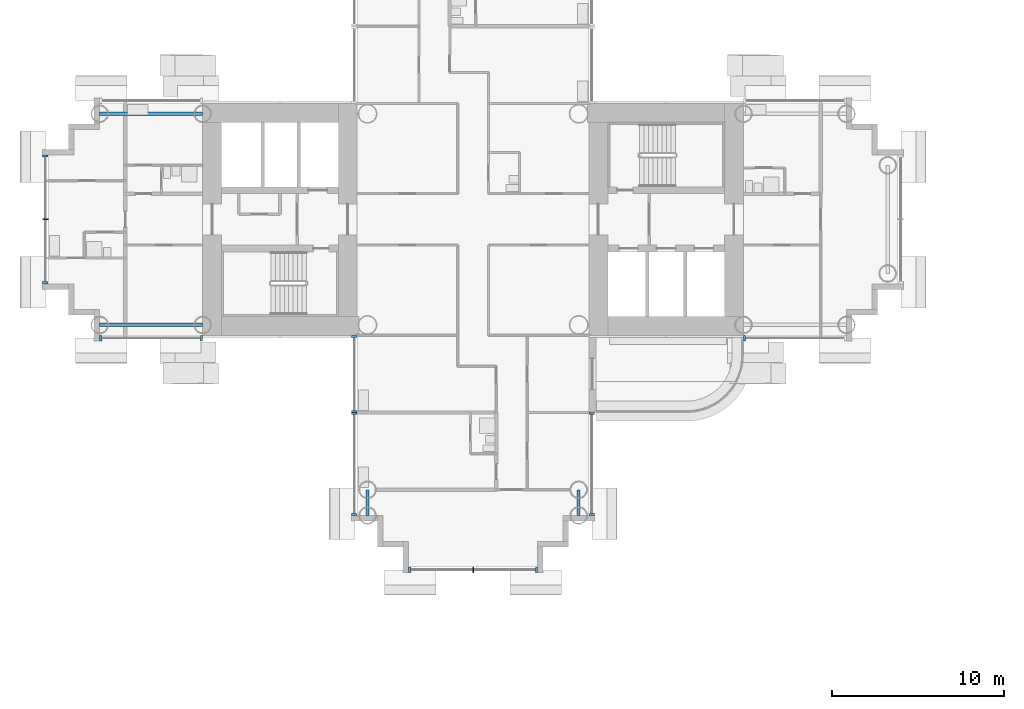
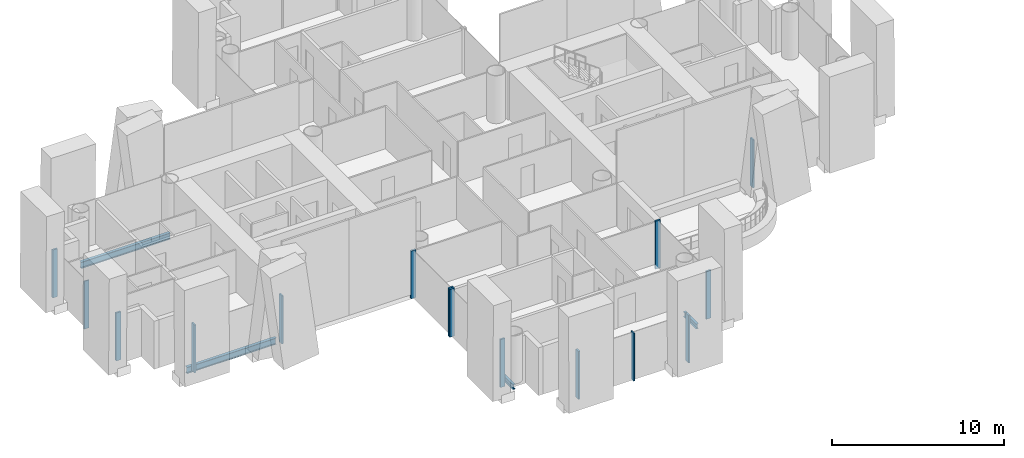
# One storey, part 3 of 23: 15 members, 4 beams, 7 elements without a shape of their own.
"""IFC4 building model written with IfcOpenShell, lengths in metres."""

from ifc_helpers import new_model, si_unit, direction, frame, origin, origin_2d, place, context, subcontext, project, spatial, rectangle, i_section, extrude, material, layer, layer_set, material_profile, profile_set, type_object, element, aggregate, save


model = new_model("IFC4")

# Units and contexts
model_context = context("Model", 3, precision=1e-05, world=origin(), true_north=direction((0.0, 1.0)))
body_context = subcontext(model_context, "Body", "Model", "MODEL_VIEW")
ifc_project = project(units=[si_unit("LENGTHUNIT", "METRE"), si_unit("AREAUNIT", "SQUARE_METRE"), si_unit("VOLUMEUNIT", "CUBIC_METRE"), si_unit("PLANEANGLEUNIT", "RADIAN"), si_unit("MASSUNIT", "GRAM", prefix="KILO")], contexts=[model_context])

# Site, building, storey
site_placement = place(None, origin())
site = spatial("IfcSite", under=ifc_project, at=site_placement, CompositionType="ELEMENT")
building_placement = place(site_placement, origin())
building = spatial("IfcBuilding", under=site, at=building_placement, Name="Ipe Terrace Towers", CompositionType="ELEMENT")
storey_placement = place(building_placement, frame((0.0, 0.0, 44.89990234375)))
storey = spatial("IfcBuildingStorey", under=building, at=storey_placement, Name="L11", CompositionType="ELEMENT", Elevation=44.89990234375)

# Beams
ifc_material_1 = material(Name="Steel S355", Category="steel")
ifc_material_profile_1 = material_profile(ifc_material_1, i_section(OverallWidth=0.175048828125, OverallDepth=0.35009765625, WebThickness=0.007080078125, FlangeThickness=0.010986328125, at=origin_2d()), Name="H-350x175x7x11")
ifc_profile_set_1 = profile_set([ifc_material_profile_1], Name="Steel S355")
beam_type_1 = type_object("IfcBeamType", Name="H04 EDGE BEAM H-350x175x7x11", PredefinedType="BEAM", material=ifc_profile_set_1)
for number, where, z_axis, x_axis, name in (
    (1, (-42.14990234375, -15.75, -0.574951171875), (0.0, -1.0, 0.0), (1.0, 0.0, 0.0), "Edge beam T1-EB-D03-D05"),
    (2, (-29.85009765625, -15.75, -0.574951171875), (0.0, -1.0, 0.0), (1.0, 0.0, 0.0), "Edge beam T1-EB-D04-D06"),
):
    element("IfcBeam", number, at=place(storey_placement, frame(where, z_axis=z_axis, x_axis=x_axis)), inside=storey, type_object=beam_type_1, Name=name, PredefinedType="BEAM", context=body_context, shape_type="SweptSolid", body=[
        extrude(i_section(OverallWidth=0.175048828125, OverallDepth=0.35009765625, WebThickness=0.007080078125, FlangeThickness=0.010986328125, at=origin_2d()), origin(), (0.0, 0.0, 1.0), 1.5),
    ])
ifc_material_2 = material(Name="Steel S355", Category="steel")
ifc_material_profile_2 = material_profile(ifc_material_2, i_section(OverallWidth=0.199951171875, OverallDepth=0.449951171875, WebThickness=0.009033203125, FlangeThickness=0.013916015625, at=origin_2d()), Name="H-450x200x9x14")
ifc_profile_set_2 = profile_set([ifc_material_profile_2], Name="Steel S355")
beam_type_2 = type_object("IfcBeamType", Name="H08 EDGE BEAM H-450x200x9x14", PredefinedType="BEAM", material=ifc_profile_set_2)
for number, where, z_axis, x_axis, name in (
    (3, (-51.75, -6.14990234375, -0.625), (-1.0, 0.0, 0.0), (0.0, -1.0, 0.0), "Edge beam T1-EB-C01-C03"),
    (4, (-51.75, 6.14990234375, -0.625), (-1.0, 0.0, 0.0), (0.0, -1.0, 0.0), "Edge beam T1-EB-C02-C04"),
):
    element("IfcBeam", number, at=place(storey_placement, frame(where, z_axis=z_axis, x_axis=x_axis)), inside=storey, type_object=beam_type_2, Name=name, PredefinedType="BEAM", context=body_context, shape_type="SweptSolid", body=[
        extrude(i_section(OverallWidth=0.199951171875, OverallDepth=0.449951171875, WebThickness=0.009033203125, FlangeThickness=0.013916015625, at=origin_2d()), origin(), (0.0, 0.0, 1.0), 6.0),
    ])

# Curtain wall, members
ifc_material_3 = material(Name="Aluminium alloy 6063-T6", Category="aluminium")
ifc_layer = layer(ifc_material_3, 0.320068359375)
ifc_layer_set = layer_set([ifc_layer], Name="TOWER UNITISED CURTAIN WALL")
curtain_wall_type = type_object("IfcCurtainWallType", Name="TOWER UNITISED CURTAIN WALL", PredefinedType="NOTDEFINED", material=ifc_layer_set)
curtain_wall_1_placement = place(storey_placement, origin())
curtain_wall_1 = element("IfcCurtainWall", 5, at=curtain_wall_1_placement, inside=storey, type_object=curtain_wall_type, Name="T1-CW-L11-04a curtain wall", PredefinedType="NOTDEFINED")
ifc_material_4 = material(Name="Aluminium alloy 6063-T6", Category="aluminium")
ifc_material_profile_3 = material_profile(ifc_material_4, rectangle(XDim=0.320068359375, YDim=0.1201171875, at=origin_2d()), Name="TOWER UNITISED CORNER MULLION 320 x 120")
ifc_profile_set_3 = profile_set([ifc_material_profile_3], Name="Aluminium alloy 6063-T6")
member_type_1 = type_object("IfcMemberType", Name="TOWER UNITISED CORNER MULLION 320 x 120", PredefinedType="MULLION", material=ifc_profile_set_3)
member_1_placement = place(storey_placement, frame((-57.68994140625, -6.909912109375, -0.2998046875), z_axis=(0.0, 0.0, 1.0), x_axis=(0.0, -1.0, 0.0)))
member_1 = element("IfcMember", 6, at=member_1_placement, type_object=member_type_1, Name="T1-CW-L11-04a mullion 1", PredefinedType="MULLION", context=body_context, shape_type="SweptSolid", body=[
    extrude(rectangle(XDim=0.320068359375, YDim=0.1201171875, at=origin_2d()), origin(), (0.0, 0.0, 1.0), 3.39990234375),
])
member_2_placement = place(storey_placement, frame((-51.81103515625, -6.909912109375, -0.2998046875), z_axis=(0.0, 0.0, 1.0), x_axis=(0.0, -1.0, 0.0)))
member_2 = element("IfcMember", 7, at=member_2_placement, type_object=member_type_1, Name="T1-CW-L11-04a mullion 2", PredefinedType="MULLION", context=body_context, shape_type="SweptSolid", body=[
    extrude(rectangle(XDim=0.320068359375, YDim=0.1201171875, at=origin_2d()), origin(), (0.0, 0.0, 1.0), 3.39990234375),
])
aggregate(curtain_wall_1, [member_1, member_2])

curtain_wall_2_placement = place(storey_placement, origin())
curtain_wall_2 = element("IfcCurtainWall", 8, at=curtain_wall_2_placement, inside=storey, type_object=curtain_wall_type, Name="T1-CW-L11-06a curtain wall", PredefinedType="NOTDEFINED")
member_3_placement = place(storey_placement, frame((-42.909912109375, -6.81005859375, -0.2998046875), z_axis=(0.0, 0.0, 1.0), x_axis=(-1.0, 0.0, 0.0)))
member_3 = element("IfcMember", 9, at=member_3_placement, type_object=member_type_1, Name="T1-CW-L11-06a mullion 1", PredefinedType="MULLION", context=body_context, shape_type="SweptSolid", body=[
    extrude(rectangle(XDim=0.320068359375, YDim=0.1201171875, at=origin_2d()), origin(), (0.0, 0.0, 1.0), 3.39990234375),
])
member_4_placement = place(storey_placement, frame((-42.909912109375, -11.18994140625, -0.2998046875), z_axis=(0.0, 0.0, 1.0), x_axis=(-1.0, 0.0, 0.0)))
member_4 = element("IfcMember", 10, at=member_4_placement, type_object=member_type_1, Name="T1-CW-L11-06a mullion 2", PredefinedType="MULLION", context=body_context, shape_type="SweptSolid", body=[
    extrude(rectangle(XDim=0.320068359375, YDim=0.1201171875, at=origin_2d()), origin(), (0.0, 0.0, 1.0), 3.39990234375),
])
aggregate(curtain_wall_2, [member_3, member_4])

curtain_wall_3_placement = place(storey_placement, origin())
curtain_wall_3 = element("IfcCurtainWall", 11, at=curtain_wall_3_placement, inside=storey, type_object=curtain_wall_type, Name="T1-CW-L11-07a curtain wall", PredefinedType="NOTDEFINED")
member_5_placement = place(storey_placement, frame((-42.909912109375, -11.31005859375, -0.2998046875), z_axis=(0.0, 0.0, 1.0), x_axis=(-1.0, 0.0, 0.0)))
member_5 = element("IfcMember", 12, at=member_5_placement, type_object=member_type_1, Name="T1-CW-L11-07a mullion 1", PredefinedType="MULLION", context=body_context, shape_type="SweptSolid", body=[
    extrude(rectangle(XDim=0.320068359375, YDim=0.1201171875, at=origin_2d()), origin(), (0.0, 0.0, 1.0), 3.39990234375),
])
member_6_placement = place(storey_placement, frame((-42.909912109375, -17.18994140625, -0.2998046875), z_axis=(0.0, 0.0, 1.0), x_axis=(-1.0, 0.0, 0.0)))
member_6 = element("IfcMember", 13, at=member_6_placement, type_object=member_type_1, Name="T1-CW-L11-07a mullion 2", PredefinedType="MULLION", context=body_context, shape_type="SweptSolid", body=[
    extrude(rectangle(XDim=0.320068359375, YDim=0.1201171875, at=origin_2d()), origin(), (0.0, 0.0, 1.0), 3.39990234375),
])
aggregate(curtain_wall_3, [member_5, member_6])

curtain_wall_4_placement = place(storey_placement, origin())
curtain_wall_4 = element("IfcCurtainWall", 14, at=curtain_wall_4_placement, inside=storey, type_object=curtain_wall_type, Name="T1-CW-L11-12a curtain wall", PredefinedType="NOTDEFINED")
member_7_placement = place(storey_placement, frame((-39.68994140625, -20.409912109375, -0.2998046875), z_axis=(0.0, 0.0, 1.0), x_axis=(0.0, -1.0, 0.0)))
member_7 = element("IfcMember", 15, at=member_7_placement, type_object=member_type_1, Name="T1-CW-L11-12a mullion 1", PredefinedType="MULLION", context=body_context, shape_type="SweptSolid", body=[
    extrude(rectangle(XDim=0.320068359375, YDim=0.1201171875, at=origin_2d()), origin(), (0.0, 0.0, 1.0), 3.39990234375),
])
member_8_placement = place(storey_placement, frame((-32.31005859375, -20.409912109375, -0.2998046875), z_axis=(0.0, 0.0, 1.0), x_axis=(0.0, -1.0, 0.0)))
member_8 = element("IfcMember", 16, at=member_8_placement, type_object=member_type_1, Name="T1-CW-L11-12a mullion 3", PredefinedType="MULLION", context=body_context, shape_type="SweptSolid", body=[
    extrude(rectangle(XDim=0.320068359375, YDim=0.1201171875, at=origin_2d()), origin(), (0.0, 0.0, 1.0), 3.39990234375),
])

curtain_wall_5_placement = place(storey_placement, origin())
curtain_wall_5 = element("IfcCurtainWall", 17, at=curtain_wall_5_placement, inside=storey, type_object=curtain_wall_type, Name="T1-CW-L11-17a curtain wall", PredefinedType="NOTDEFINED")
member_9_placement = place(storey_placement, frame((-29.090087890625, -17.18994140625, -0.2998046875), z_axis=(0.0, 0.0, 1.0), x_axis=(1.0, 0.0, 0.0)))
member_9 = element("IfcMember", 18, at=member_9_placement, type_object=member_type_1, Name="T1-CW-L11-17a mullion 1", PredefinedType="MULLION", context=body_context, shape_type="SweptSolid", body=[
    extrude(rectangle(XDim=0.320068359375, YDim=0.1201171875, at=origin_2d()), origin(), (0.0, 0.0, 1.0), 3.39990234375),
])
member_10_placement = place(storey_placement, frame((-29.090087890625, -11.31005859375, -0.2998046875), z_axis=(0.0, 0.0, 1.0), x_axis=(1.0, 0.0, 0.0)))
member_10 = element("IfcMember", 19, at=member_10_placement, type_object=member_type_1, Name="T1-CW-L11-17a mullion 2", PredefinedType="MULLION", context=body_context, shape_type="SweptSolid", body=[
    extrude(rectangle(XDim=0.320068359375, YDim=0.1201171875, at=origin_2d()), origin(), (0.0, 0.0, 1.0), 3.39990234375),
])
aggregate(curtain_wall_5, [member_9, member_10])

# Curtain wall, member
curtain_wall_6_placement = place(storey_placement, origin())
curtain_wall_6 = element("IfcCurtainWall", 20, at=curtain_wall_6_placement, inside=storey, type_object=curtain_wall_type, Name="T1-CW-L11-20b curtain wall", PredefinedType="NOTDEFINED")
member_11_placement = place(storey_placement, frame((-20.18896484375, -6.909912109375, -0.2998046875), z_axis=(0.0, 0.0, 1.0), x_axis=(0.0, -1.0, 0.0)))
member_11 = element("IfcMember", 21, at=member_11_placement, type_object=member_type_1, Name="T1-CW-L11-20b mullion 1", PredefinedType="MULLION", context=body_context, shape_type="SweptSolid", body=[
    extrude(rectangle(XDim=0.320068359375, YDim=0.1201171875, at=origin_2d()), origin(), (0.0, 0.0, 1.0), 3.39990234375),
])
aggregate(curtain_wall_6, [member_11])

# Curtain wall, members
curtain_wall_7_placement = place(storey_placement, origin())
curtain_wall_7 = element("IfcCurtainWall", 22, at=curtain_wall_7_placement, inside=storey, type_object=curtain_wall_type, Name="T1-CW-L11-51a curtain wall", PredefinedType="NOTDEFINED")
member_12_placement = place(storey_placement, frame((-60.909912109375, 3.68994140625, -0.2998046875), z_axis=(0.0, 0.0, 1.0), x_axis=(-1.0, 0.0, 0.0)))
member_12 = element("IfcMember", 23, at=member_12_placement, type_object=member_type_1, Name="T1-CW-L11-51a mullion 1", PredefinedType="MULLION", context=body_context, shape_type="SweptSolid", body=[
    extrude(rectangle(XDim=0.320068359375, YDim=0.1201171875, at=origin_2d()), origin(), (0.0, 0.0, 1.0), 3.39990234375),
])
member_13_placement = place(storey_placement, frame((-60.909912109375, -3.68994140625, -0.2998046875), z_axis=(0.0, 0.0, 1.0), x_axis=(-1.0, 0.0, 0.0)))
member_13 = element("IfcMember", 24, at=member_13_placement, type_object=member_type_1, Name="T1-CW-L11-51a mullion 3", PredefinedType="MULLION", context=body_context, shape_type="SweptSolid", body=[
    extrude(rectangle(XDim=0.320068359375, YDim=0.1201171875, at=origin_2d()), origin(), (0.0, 0.0, 1.0), 3.39990234375),
])

# Member
ifc_material_5 = material(Name="Aluminium alloy 6063-T6", Category="aluminium")
ifc_material_profile_4 = material_profile(ifc_material_5, rectangle(XDim=0.320068359375, YDim=0.06494140625, at=origin_2d()), Name="TOWER UNITISED MULLION 320 x 65")
ifc_profile_set_4 = profile_set([ifc_material_profile_4], Name="Aluminium alloy 6063-T6")
member_type_2 = type_object("IfcMemberType", Name="TOWER UNITISED MULLION 320 x 65", PredefinedType="MULLION", material=ifc_profile_set_4)
member_14_placement = place(storey_placement, frame((-36.0, -20.409912109375, -0.2998046875), z_axis=(0.0, 0.0, 1.0), x_axis=(0.0, -1.0, 0.0)))
member_14 = element("IfcMember", 25, at=member_14_placement, type_object=member_type_2, Name="T1-CW-L11-12a mullion 2", PredefinedType="MULLION", context=body_context, shape_type="SweptSolid", body=[
    extrude(rectangle(XDim=0.320068359375, YDim=0.06494140625, at=origin_2d()), origin(), (0.0, 0.0, 1.0), 3.39990234375),
])

aggregate(curtain_wall_4, [member_7, member_14, member_8])

member_15_placement = place(storey_placement, frame((-60.909912109375, 0.0, -0.2998046875), z_axis=(0.0, 0.0, 1.0), x_axis=(-1.0, 0.0, 0.0)))
member_15 = element("IfcMember", 26, at=member_15_placement, type_object=member_type_2, Name="T1-CW-L11-51a mullion 2", PredefinedType="MULLION", context=body_context, shape_type="SweptSolid", body=[
    extrude(rectangle(XDim=0.320068359375, YDim=0.06494140625, at=origin_2d()), origin(), (0.0, 0.0, 1.0), 3.39990234375),
])

aggregate(curtain_wall_7, [member_12, member_15, member_13])

save(model, "model.ifc")
